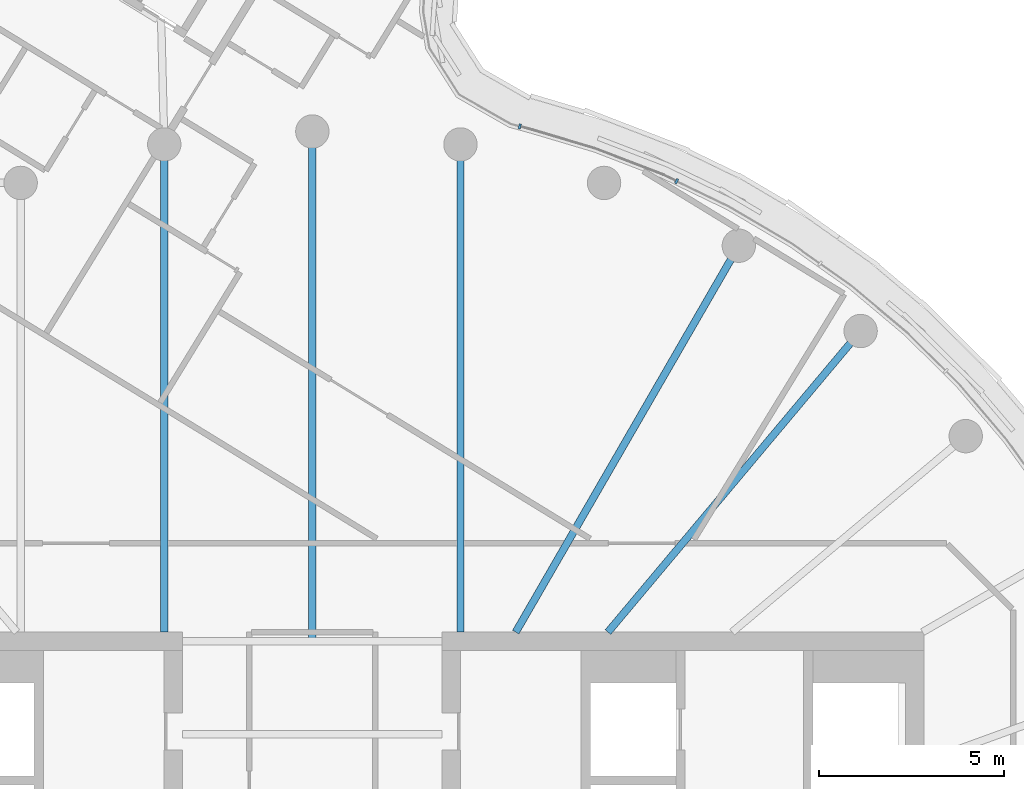
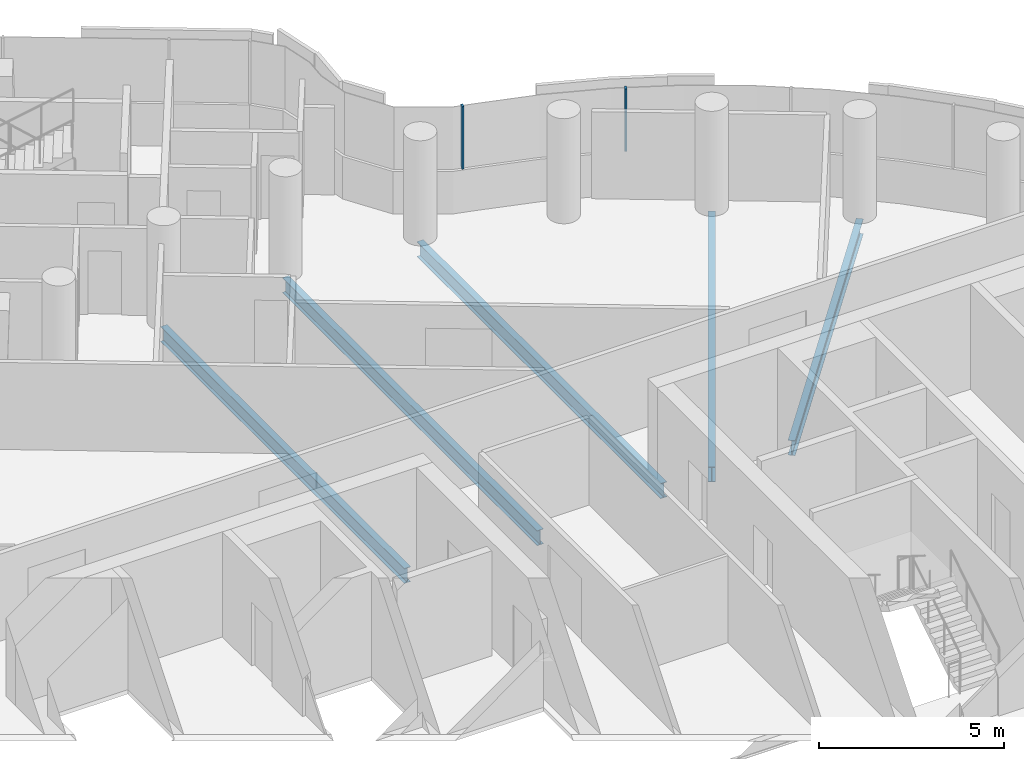
# One storey, part 11 of 27: 5 beams, 2 members, 1 element without a shape of its own.
"""IFC4 building model written with IfcOpenShell, lengths in metres."""

from ifc_helpers import new_model, si_unit, direction, frame, origin, origin_2d, place, context, subcontext, project, spatial, rectangle, i_section, extrude, material, layer, layer_set, material_profile, profile_set, type_object, element, aggregate, save


model = new_model("IFC4")

# Units and contexts
model_context = context("Model", 3, precision=1e-05, world=origin(), true_north=direction((0.0, 1.0)))
body_context = subcontext(model_context, "Body", "Model", "MODEL_VIEW")
ifc_project = project(units=[si_unit("LENGTHUNIT", "METRE"), si_unit("AREAUNIT", "SQUARE_METRE"), si_unit("VOLUMEUNIT", "CUBIC_METRE"), si_unit("PLANEANGLEUNIT", "RADIAN"), si_unit("MASSUNIT", "GRAM", prefix="KILO")], contexts=[model_context])

# Site, building, storey
site_placement = place(None, origin())
site = spatial("IfcSite", under=ifc_project, at=site_placement, CompositionType="ELEMENT")
building_placement = place(site_placement, origin())
building = spatial("IfcBuilding", under=site, at=building_placement, Name="Tamarind Cross Interchange Tower", CompositionType="ELEMENT")
storey_placement = place(building_placement, frame((0.0, 0.0, 245.10009765625)))
storey = spatial("IfcBuildingStorey", under=building, at=storey_placement, Name="L62", CompositionType="ELEMENT", Elevation=245.10009765625)

# Beams
ifc_material_1 = material(Name="Steel Q355B", Category="steel")
ifc_material_profile_1 = material_profile(ifc_material_1, i_section(OverallWidth=0.198974609375, OverallDepth=0.49609375, WebThickness=0.009033203125, FlangeThickness=0.013916015625, FilletRadius=0.012939453125, at=origin_2d()), Name="HN 496x199x9x14")
ifc_profile_set_1 = profile_set([ifc_material_profile_1], Name="Steel Q355B")
beam_type = type_object("IfcBeamType", Name="Composite beam HN 496x199x9x14 Q355B", PredefinedType="BEAM", material=ifc_profile_set_1)
beam_1_placement = place(storey_placement, frame((14.7841796875, 17.619140625, -0.38818359375), z_axis=(-0.642786293979, -0.766045547127, 0.0), x_axis=(0.766045547127, -0.642786293979, 0.0)))
element("IfcBeam", 1, at=beam_1_placement, inside=storey, type_object=beam_type, Name="Beam HH05", PredefinedType="BEAM", context=body_context, shape_type="SweptSolid", body=[
    extrude(i_section(OverallWidth=0.198974609375, OverallDepth=0.49609375, WebThickness=0.009033203125, FlangeThickness=0.013916015625, FilletRadius=0.012939453125, at=origin_2d()), origin(), (0.0, 0.0, 1.0), 10.598876953125),
])
beam_2_placement = place(storey_placement, frame((11.5, 19.918701171875, -0.38818359375), z_axis=(-0.499993565836, -0.866029118519, 0.0), x_axis=(0.866029118519, -0.499993565836, 0.0)))
element("IfcBeam", 2, at=beam_2_placement, inside=storey, type_object=beam_type, Name="Beam HH06", PredefinedType="BEAM", context=body_context, shape_type="SweptSolid", body=[
    extrude(i_section(OverallWidth=0.198974609375, OverallDepth=0.49609375, WebThickness=0.009033203125, FlangeThickness=0.013916015625, FilletRadius=0.012939453125, at=origin_2d()), origin(), (0.0, 0.0, 1.0), 12.030517578125),
])
beam_3_placement = place(storey_placement, frame((3.993896484375, 22.650634765625, -0.38818359375), z_axis=(0.0, -1.0, 0.0), x_axis=(1.0, 0.0, 0.0)))
element("IfcBeam", 3, at=beam_3_placement, inside=storey, type_object=beam_type, Name="Beam HH08", PredefinedType="BEAM", context=body_context, shape_type="SweptSolid", body=[
    extrude(i_section(OverallWidth=0.198974609375, OverallDepth=0.49609375, WebThickness=0.009033203125, FlangeThickness=0.013916015625, FilletRadius=0.012939453125, at=origin_2d()), origin(), (0.0, 0.0, 1.0), 13.150634765625),
])
beam_4_placement = place(storey_placement, frame((0.0, 23.0, -0.38818359375), z_axis=(0.0, -1.0, 0.0), x_axis=(1.0, 0.0, 0.0)))
element("IfcBeam", 4, at=beam_4_placement, inside=storey, type_object=beam_type, Name="Beam HH09", PredefinedType="BEAM", context=body_context, shape_type="SweptSolid", body=[
    extrude(i_section(OverallWidth=0.198974609375, OverallDepth=0.49609375, WebThickness=0.009033203125, FlangeThickness=0.013916015625, FilletRadius=0.012939453125, at=origin_2d()), origin(), (0.0, 0.0, 1.0), 13.75),
])
beam_5_placement = place(storey_placement, frame((-3.993896484375, 22.650634765625, -0.38818359375), z_axis=(0.0, -1.0, 0.0), x_axis=(1.0, 0.0, 0.0)))
element("IfcBeam", 5, at=beam_5_placement, inside=storey, type_object=beam_type, Name="Beam HH10", PredefinedType="BEAM", context=body_context, shape_type="SweptSolid", body=[
    extrude(i_section(OverallWidth=0.198974609375, OverallDepth=0.49609375, WebThickness=0.009033203125, FlangeThickness=0.013916015625, FilletRadius=0.012939453125, at=origin_2d()), origin(), (0.0, 0.0, 1.0), 13.150634765625),
])

# Curtain wall, members
ifc_material_2 = material(Name="Aluminium 6063-T6", Category="aluminium")
ifc_layer = layer(ifc_material_2, 0.139892578125)
ifc_layer_set = layer_set([ifc_layer], Name="Aluminium 6063-T6")
curtain_wall_type = type_object("IfcCurtainWallType", Name="Hotel curtain wall, 4.5 m bays", PredefinedType="NOTDEFINED", material=ifc_layer_set)
curtain_wall_placement = place(storey_placement, origin())
curtain_wall = element("IfcCurtainWall", 6, at=curtain_wall_placement, inside=storey, type_object=curtain_wall_type, Name="CWS-L62-06", PredefinedType="NOTDEFINED")
ifc_material_profile_2 = material_profile(ifc_material_2, rectangle(XDim=0.06005859375, YDim=0.139892578125, at=origin_2d()), Name="Mullion CW2")
ifc_profile_set_2 = profile_set([ifc_material_profile_2], Name="Aluminium 6063-T6")
member_type = type_object("IfcMemberType", Name="Mullion CW2", PredefinedType="MULLION", material=ifc_profile_set_2)
member_1_placement = place(storey_placement, frame((9.823974609375, 21.65869140625, 1.39990234375), z_axis=(0.0, 0.0, 1.0), x_axis=(-0.900272776334, 0.435326231914, 0.0)))
member_1 = element("IfcMember", 7, at=member_1_placement, type_object=member_type, Name="CWM-L62-06-20", PredefinedType="MULLION", context=body_context, shape_type="SweptSolid", body=[
    extrude(rectangle(XDim=0.06005859375, YDim=0.139892578125, at=origin_2d()), origin(), (0.0, 0.0, 1.0), 2.06005859375),
])
member_2_placement = place(storey_placement, frame((5.593017578125, 23.13818359375, 1.39990234375), z_axis=(0.0, 0.0, 1.0), x_axis=(-0.964141324605, 0.265389348296, 0.0)))
member_2 = element("IfcMember", 8, at=member_2_placement, type_object=member_type, Name="CWM-L62-06-21", PredefinedType="MULLION", context=body_context, shape_type="SweptSolid", body=[
    extrude(rectangle(XDim=0.06005859375, YDim=0.139892578125, at=origin_2d()), origin(), (0.0, 0.0, 1.0), 2.06005859375),
])
aggregate(curtain_wall, [member_1, member_2])

save(model, "model.ifc")
